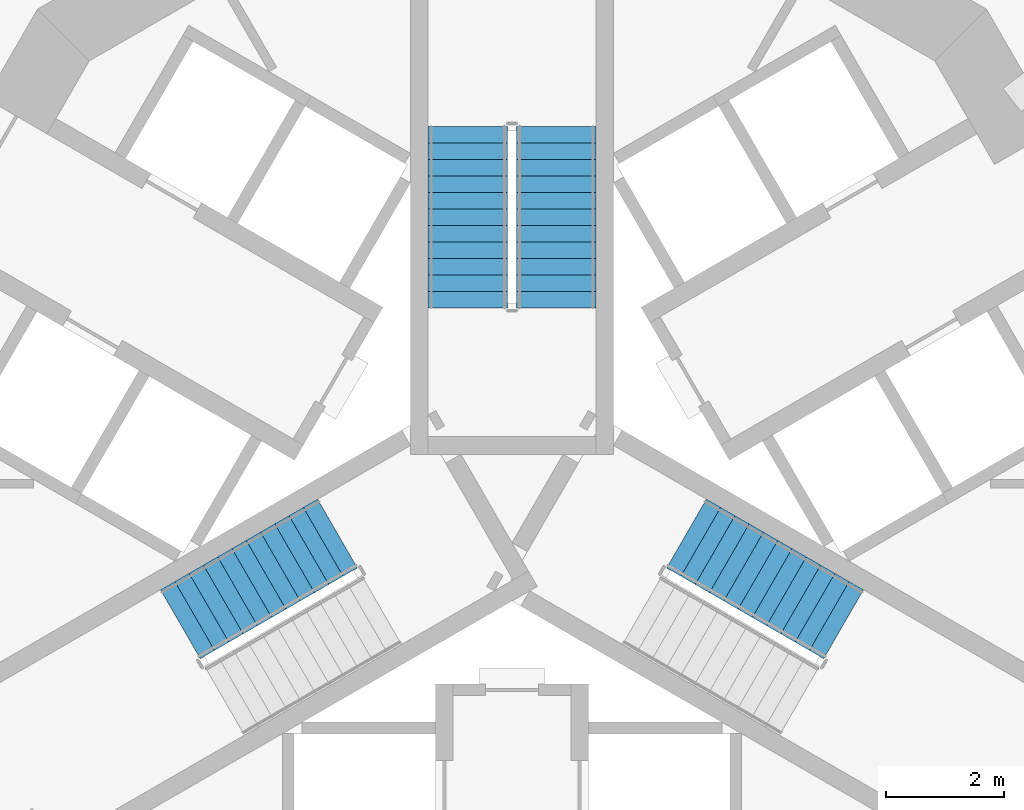
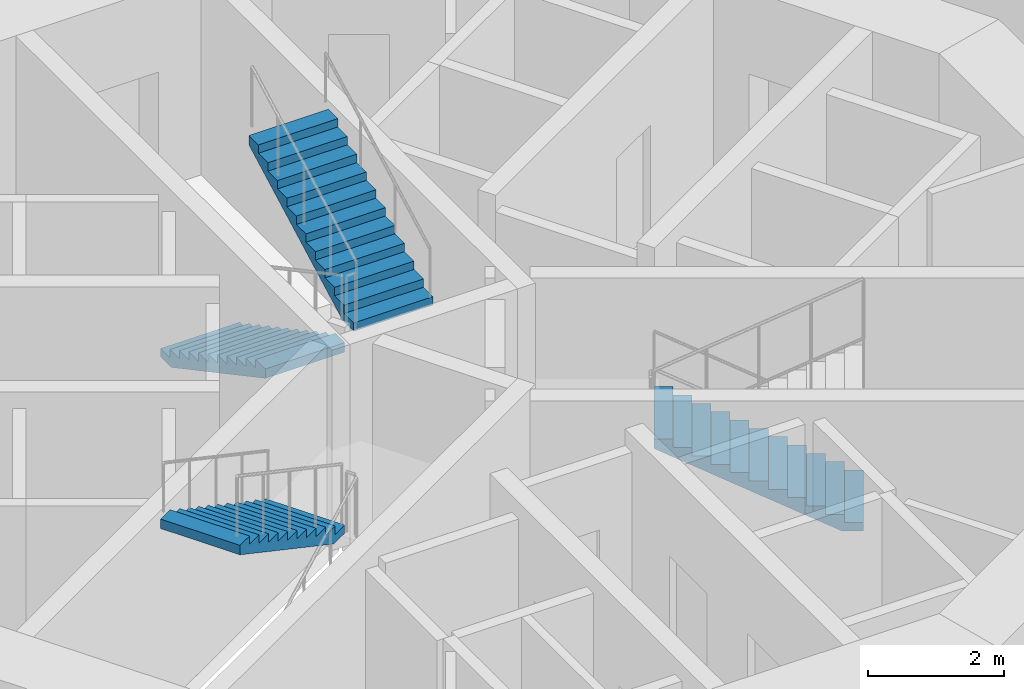
# One storey, part 11 of 19: 4 stair flights, 3 elements without a shape of their own.
"""IFC4 building model written with IfcOpenShell, lengths in metres."""

from ifc_helpers import new_model, si_unit, direction, frame, origin, place, context, subcontext, project, spatial, polyline, outline, extrude, material, type_object, element, aggregate, save


model = new_model("IFC4")

# Units and contexts
model_context = context("Model", 3, precision=1e-05, world=origin(), true_north=direction((0.0, 1.0)))
body_context = subcontext(model_context, "Body", "Model", "MODEL_VIEW")
ifc_project = project(units=[si_unit("LENGTHUNIT", "METRE"), si_unit("AREAUNIT", "SQUARE_METRE"), si_unit("VOLUMEUNIT", "CUBIC_METRE"), si_unit("PLANEANGLEUNIT", "RADIAN"), si_unit("MASSUNIT", "GRAM", prefix="KILO")], contexts=[model_context])

# Site, building, storey
site_placement = place(None, origin())
site = spatial("IfcSite", under=ifc_project, at=site_placement, CompositionType="ELEMENT")
building_placement = place(site_placement, origin())
building = spatial("IfcBuilding", under=site, at=building_placement, Name="Trine Commons Tower", CompositionType="ELEMENT")
storey_placement = place(building_placement, frame((0.0, 0.0, 64.800048828125)))
storey = spatial("IfcBuildingStorey", under=building, at=storey_placement, Name="L15", CompositionType="ELEMENT", Elevation=64.800048828125)

# Stair, stair flights
ifc_material = material(Name="Concrete C50/60", Category="concrete")
stair_type = type_object("IfcStairType", Name="Exit stair, dog-leg, 24 risers of 150 mm", PredefinedType="HALF_TURN_STAIR", material=ifc_material)
stair_1_placement = place(storey_placement, origin())
stair_1 = element("IfcStair", 1, at=stair_1_placement, inside=storey, type_object=stair_type, Name="L15 Exit stair ST1A", PredefinedType="HALF_TURN_STAIR")
stair_flight_type = type_object("IfcStairFlightType", Name="Stair flight, 1350 wide, 12 risers of 150 mm", PredefinedType="STRAIGHT", material=ifc_material)
stair_flight_1_placement = place(storey_placement, frame((79.25, 68.570556640625, 0.0), z_axis=(0.0, 0.0, 1.0), x_axis=(0.0, -1.0, 0.0)))
stair_flight_1 = element("IfcStairFlight", 2, at=stair_flight_1_placement, type_object=stair_flight_type, Name="ST1A flight 1", NumberOfRisers=12, NumberOfTreads=11, PredefinedType="STRAIGHT", RiserHeight=0.15, TreadLength=0.28, context=body_context, shape_type="SweptSolid", body=[
    extrude(outline(polyline([(0.0, 0.0), (0.0, 0.14990234375), (0.280029296875, 0.14990234375), (0.280029296875, 0.300048828125), (0.56005859375, 0.300048828125), (0.56005859375, 0.449951171875), (0.840087890625, 0.449951171875), (0.840087890625, 0.60009765625), (1.1201171875, 0.60009765625), (1.1201171875, 0.75), (1.39990234375, 0.75), (1.39990234375, 0.89990234375), (1.679931640625, 0.89990234375), (1.679931640625, 1.050048828125), (1.9599609375, 1.050048828125), (1.9599609375, 1.199951171875), (2.239990234375, 1.199951171875), (2.239990234375, 1.35009765625), (2.52001953125, 1.35009765625), (2.52001953125, 1.5), (2.800048828125, 1.5), (2.800048828125, 1.64990234375), (3.080078125, 1.64990234375), (3.080078125, 1.800048828125), (3.080078125, 1.47998046875), (0.3173828125, 0.0), (0.0, 0.0)])), frame((0.0, 0.675048828125, 0.0), z_axis=(0.0, -1.0, 0.0), x_axis=(1.0, 0.0, 0.0)), (0.0, 0.0, 1.0), 1.35009765625),
])
stair_flight_2_placement = place(storey_placement, frame((80.75, 65.490478515625, 1.800048828125), z_axis=(0.0, 0.0, 1.0), x_axis=(0.0, 1.0, 0.0)))
stair_flight_2 = element("IfcStairFlight", 3, at=stair_flight_2_placement, type_object=stair_flight_type, Name="ST1A flight 2", NumberOfRisers=12, NumberOfTreads=11, PredefinedType="STRAIGHT", RiserHeight=0.15, TreadLength=0.28, context=body_context, shape_type="SweptSolid", body=[
    extrude(outline(polyline([(0.0, 0.0), (0.0, 0.14990234375), (0.280029296875, 0.14990234375), (0.280029296875, 0.300048828125), (0.56005859375, 0.300048828125), (0.56005859375, 0.449951171875), (0.840087890625, 0.449951171875), (0.840087890625, 0.60009765625), (1.1201171875, 0.60009765625), (1.1201171875, 0.75), (1.39990234375, 0.75), (1.39990234375, 0.89990234375), (1.679931640625, 0.89990234375), (1.679931640625, 1.050048828125), (1.9599609375, 1.050048828125), (1.9599609375, 1.199951171875), (2.239990234375, 1.199951171875), (2.239990234375, 1.35009765625), (2.52001953125, 1.35009765625), (2.52001953125, 1.5), (2.800048828125, 1.5), (2.800048828125, 1.64990234375), (3.080078125, 1.64990234375), (3.080078125, 1.800048828125), (3.080078125, 1.47998046875), (0.3173828125, 0.0), (0.0, 0.0)])), frame((0.0, 0.675048828125, 0.0), z_axis=(0.0, -1.0, 0.0), x_axis=(1.0, 0.0, 0.0)), (0.0, 0.0, 1.0), 1.35009765625),
])
aggregate(stair_1, [stair_flight_1, stair_flight_2])

# Stair, stair flight
stair_2_placement = place(storey_placement, origin())
stair_2 = element("IfcStair", 4, at=stair_2_placement, inside=storey, type_object=stair_type, Name="L15 Exit stair ST2A", PredefinedType="HALF_TURN_STAIR")
stair_flight_3_placement = place(storey_placement, frame((77.03515625, 61.654296875, 1.800048828125), z_axis=(0.0, 0.0, 1.0), x_axis=(-0.866025403784, -0.5, 0.0)))
stair_flight_3 = element("IfcStairFlight", 5, at=stair_flight_3_placement, type_object=stair_flight_type, Name="ST2A flight 2", NumberOfRisers=12, NumberOfTreads=11, PredefinedType="STRAIGHT", RiserHeight=0.15, TreadLength=0.28, context=body_context, shape_type="SweptSolid", body=[
    extrude(outline(polyline([(0.0, 0.0), (0.0, 0.14990234375), (0.280029296875, 0.14990234375), (0.280029296875, 0.300048828125), (0.56005859375, 0.300048828125), (0.56005859375, 0.449951171875), (0.840087890625, 0.449951171875), (0.840087890625, 0.60009765625), (1.1201171875, 0.60009765625), (1.1201171875, 0.75), (1.39990234375, 0.75), (1.39990234375, 0.89990234375), (1.679931640625, 0.89990234375), (1.679931640625, 1.050048828125), (1.9599609375, 1.050048828125), (1.9599609375, 1.199951171875), (2.239990234375, 1.199951171875), (2.239990234375, 1.35009765625), (2.52001953125, 1.35009765625), (2.52001953125, 1.5), (2.800048828125, 1.5), (2.800048828125, 1.64990234375), (3.080078125, 1.64990234375), (3.080078125, 1.800048828125), (3.080078125, 1.47998046875), (0.3173828125, 0.0), (0.0, 0.0)])), frame((0.0, 0.675048828125, 0.0), z_axis=(0.0, -1.0, 0.0), x_axis=(1.0, 0.0, 0.0)), (0.0, 0.0, 1.0), 1.35009765625),
])
aggregate(stair_2, [stair_flight_3])

stair_3_placement = place(storey_placement, origin())
stair_3 = element("IfcStair", 6, at=stair_3_placement, inside=storey, type_object=stair_type, Name="L15 Exit stair ST3A", PredefinedType="HALF_TURN_STAIR")
stair_flight_4_placement = place(storey_placement, frame((85.63232421875, 60.1142578125, 0.0), z_axis=(0.0, 0.0, 1.0), x_axis=(-0.866025403784, 0.5, 0.0)))
stair_flight_4 = element("IfcStairFlight", 7, at=stair_flight_4_placement, type_object=stair_flight_type, Name="ST3A flight 1", NumberOfRisers=12, NumberOfTreads=11, PredefinedType="STRAIGHT", RiserHeight=0.15, TreadLength=0.28, context=body_context, shape_type="SweptSolid", body=[
    extrude(outline(polyline([(0.0, 0.0), (0.0, 0.14990234375), (0.280029296875, 0.14990234375), (0.280029296875, 0.300048828125), (0.56005859375, 0.300048828125), (0.56005859375, 0.449951171875), (0.840087890625, 0.449951171875), (0.840087890625, 0.60009765625), (1.1201171875, 0.60009765625), (1.1201171875, 0.75), (1.39990234375, 0.75), (1.39990234375, 0.89990234375), (1.679931640625, 0.89990234375), (1.679931640625, 1.050048828125), (1.9599609375, 1.050048828125), (1.9599609375, 1.199951171875), (2.239990234375, 1.199951171875), (2.239990234375, 1.35009765625), (2.52001953125, 1.35009765625), (2.52001953125, 1.5), (2.800048828125, 1.5), (2.800048828125, 1.64990234375), (3.080078125, 1.64990234375), (3.080078125, 1.800048828125), (3.080078125, 1.47998046875), (0.3173828125, 0.0), (0.0, 0.0)])), frame((0.0, 0.675048828125, 0.0), z_axis=(0.0, -1.0, 0.0), x_axis=(1.0, 0.0, 0.0)), (0.0, 0.0, 1.0), 1.35009765625),
])
aggregate(stair_3, [stair_flight_4])

save(model, "model.ifc")
